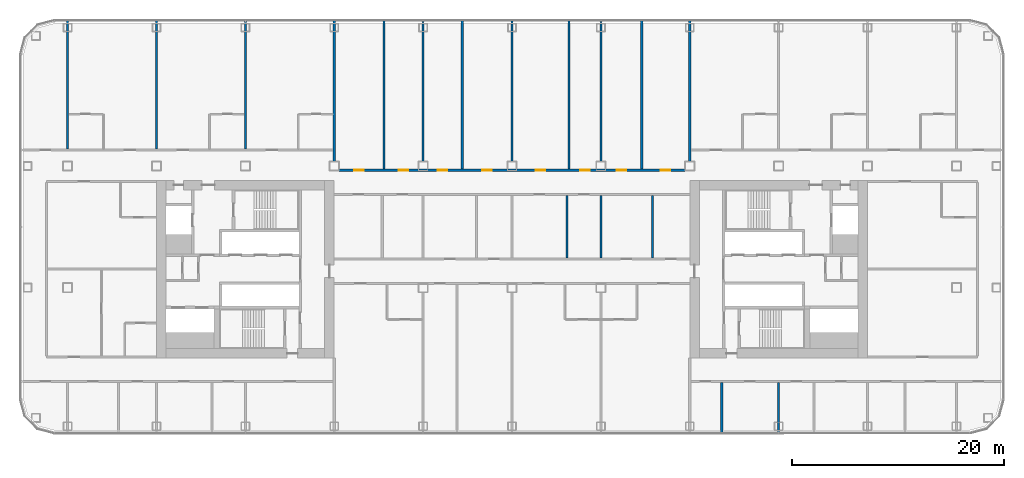
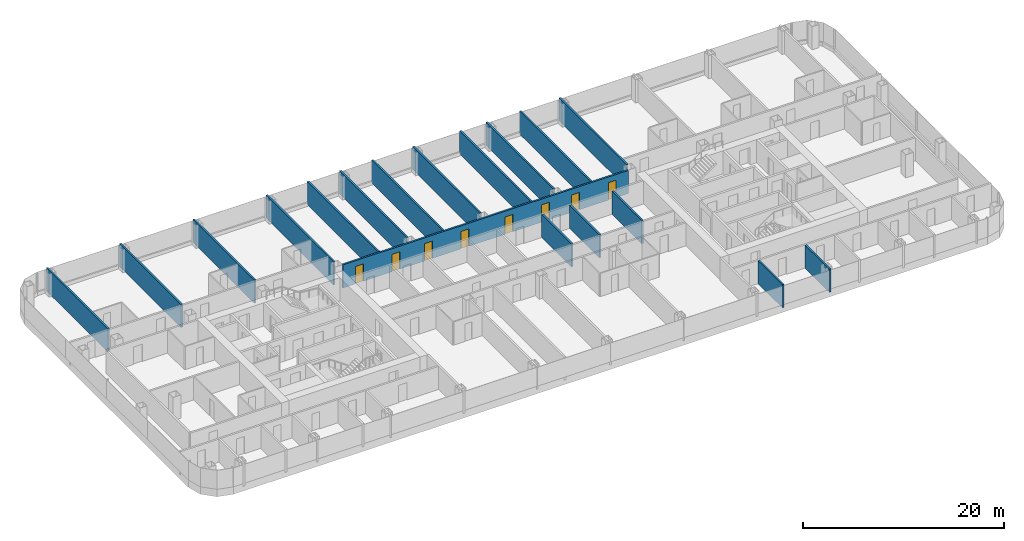
# One storey, part 18 of 29: 18 walls, 8 doors, 8 openings.
"""IFC4 building model written with IfcOpenShell, lengths in metres."""

from ifc_helpers import new_model, si_unit, direction, frame, frame_2d, origin, place, context, subcontext, project, spatial, rectangle, extrude, material, layer, layer_set, type_object, element, fill, save


model = new_model("IFC4")

# Units and contexts
model_context = context("Model", 3, precision=1e-05, world=origin(), true_north=direction((0.0, 1.0)))
body_context = subcontext(model_context, "Body", "Model", "MODEL_VIEW")
ifc_project = project(units=[si_unit("LENGTHUNIT", "METRE"), si_unit("AREAUNIT", "SQUARE_METRE"), si_unit("VOLUMEUNIT", "CUBIC_METRE"), si_unit("PLANEANGLEUNIT", "RADIAN"), si_unit("MASSUNIT", "GRAM", prefix="KILO")], contexts=[model_context])

# Site, building, storey
site_placement = place(None, origin())
site = spatial("IfcSite", under=ifc_project, at=site_placement, CompositionType="ELEMENT")
building_placement = place(site_placement, origin())
building = spatial("IfcBuilding", under=site, at=building_placement, Name="Hakoniwa Tower and Hamabe Station Hall", CompositionType="ELEMENT")
storey_placement = place(building_placement, frame((0.0, 0.0, 91.39990234375)))
storey = spatial("IfcBuildingStorey", under=building, at=storey_placement, Name="L25", CompositionType="ELEMENT", Elevation=91.39990234375)

# Wall, openings, doors
ifc_material_1 = material(Name="Fire-rated gypsum board partition", Category="gypsum")
ifc_layer_1 = layer(ifc_material_1, 0.199951171875)
ifc_layer_set_1 = layer_set([ifc_layer_1], Name="Corridor Wall 200")
wall_type_1 = type_object("IfcWallType", Name="Corridor Wall 200", PredefinedType="PARTITIONING", material=ifc_layer_set_1)
wall_1_placement = place(storey_placement, frame((-16.360107421875, 9.35009765625, 0.0), z_axis=(0.0, 0.0, 1.0), x_axis=(1.0, 0.0, 0.0)))
wall_1 = element("IfcWall", 1, at=wall_1_placement, inside=storey, type_object=wall_type_1, Name="GW-L25-017", PredefinedType="PARTITIONING", context=body_context, shape_type="SweptSolid", body=[
    extrude(rectangle(XDim=32.72021484375, YDim=0.199951171875, at=frame_2d((16.360107421875, 0.0))), origin(), (0.0, 0.0, 1.0), 2.800048828125),
])
opening_1_placement = place(wall_1_placement, frame((1.4599609375, 0.0, 0.0)))
opening_1 = element("IfcOpeningElement", 2, at=opening_1_placement, cuts=wall_1, Name="Opening GD-G2A1-37", PredefinedType="OPENING", context=body_context, shape_type="SweptSolid", body=[
    extrude(rectangle(XDim=0.89990234375, YDim=2.10009765625, at=frame_2d((0.449951171875, 1.050048828125))), frame((0.0, 0.10986328125, 0.0), z_axis=(0.0, -1.0, 0.0), x_axis=(1.0, 0.0, 0.0)), (0.0, 0.0, 1.0), 0.219970703125),
])
opening_2_placement = place(wall_1_placement, frame((5.659912109375, 0.0, 0.0)))
opening_2 = element("IfcOpeningElement", 3, at=opening_2_placement, cuts=wall_1, Name="Opening GD-G2A1-38", PredefinedType="OPENING", context=body_context, shape_type="SweptSolid", body=[
    extrude(rectangle(XDim=0.89990234375, YDim=2.10009765625, at=frame_2d((0.449951171875, 1.050048828125))), frame((0.0, 0.10986328125, 0.0), z_axis=(0.0, -1.0, 0.0), x_axis=(1.0, 0.0, 0.0)), (0.0, 0.0, 1.0), 0.219970703125),
])
opening_3_placement = place(wall_1_placement, frame((9.360107421875, 0.0, 0.0)))
opening_3 = element("IfcOpeningElement", 4, at=opening_3_placement, cuts=wall_1, Name="Opening GD-G2A1-39", PredefinedType="OPENING", context=body_context, shape_type="SweptSolid", body=[
    extrude(rectangle(XDim=0.89990234375, YDim=2.10009765625, at=frame_2d((0.449951171875, 1.050048828125))), frame((0.0, 0.10986328125, 0.0), z_axis=(0.0, -1.0, 0.0), x_axis=(1.0, 0.0, 0.0)), (0.0, 0.0, 1.0), 0.219970703125),
])
opening_4_placement = place(wall_1_placement, frame((13.56005859375, 0.0, 0.0)))
opening_4 = element("IfcOpeningElement", 5, at=opening_4_placement, cuts=wall_1, Name="Opening GD-G2A1-40", PredefinedType="OPENING", context=body_context, shape_type="SweptSolid", body=[
    extrude(rectangle(XDim=0.89990234375, YDim=2.10009765625, at=frame_2d((0.449951171875, 1.050048828125))), frame((0.0, 0.10986328125, 0.0), z_axis=(0.0, -1.0, 0.0), x_axis=(1.0, 0.0, 0.0)), (0.0, 0.0, 1.0), 0.219970703125),
])
opening_5_placement = place(wall_1_placement, frame((18.60009765625, 0.0, 0.0)))
opening_5 = element("IfcOpeningElement", 6, at=opening_5_placement, cuts=wall_1, Name="Opening GD-G2A1-41", PredefinedType="OPENING", context=body_context, shape_type="SweptSolid", body=[
    extrude(rectangle(XDim=0.89990234375, YDim=2.10009765625, at=frame_2d((0.449951171875, 1.050048828125))), frame((0.0, 0.10986328125, 0.0), z_axis=(0.0, -1.0, 0.0), x_axis=(1.0, 0.0, 0.0)), (0.0, 0.0, 1.0), 0.219970703125),
])
opening_6_placement = place(wall_1_placement, frame((22.800048828125, 0.0, 0.0)))
opening_6 = element("IfcOpeningElement", 7, at=opening_6_placement, cuts=wall_1, Name="Opening GD-G2A1-42", PredefinedType="OPENING", context=body_context, shape_type="SweptSolid", body=[
    extrude(rectangle(XDim=0.89990234375, YDim=2.10009765625, at=frame_2d((0.449951171875, 1.050048828125))), frame((0.0, 0.10986328125, 0.0), z_axis=(0.0, -1.0, 0.0), x_axis=(1.0, 0.0, 0.0)), (0.0, 0.0, 1.0), 0.219970703125),
])
opening_7_placement = place(wall_1_placement, frame((26.239990234375, 0.0, 0.0)))
opening_7 = element("IfcOpeningElement", 8, at=opening_7_placement, cuts=wall_1, Name="Opening GD-G2A1-43", PredefinedType="OPENING", context=body_context, shape_type="SweptSolid", body=[
    extrude(rectangle(XDim=0.89990234375, YDim=2.10009765625, at=frame_2d((0.449951171875, 1.050048828125))), frame((0.0, 0.10986328125, 0.0), z_axis=(0.0, -1.0, 0.0), x_axis=(1.0, 0.0, 0.0)), (0.0, 0.0, 1.0), 0.219970703125),
])
opening_8_placement = place(wall_1_placement, frame((30.43994140625, 0.0, 0.0)))
opening_8 = element("IfcOpeningElement", 9, at=opening_8_placement, cuts=wall_1, Name="Opening GD-G2A1-44", PredefinedType="OPENING", context=body_context, shape_type="SweptSolid", body=[
    extrude(rectangle(XDim=0.89990234375, YDim=2.10009765625, at=frame_2d((0.449951171875, 1.050048828125))), frame((0.0, 0.10986328125, 0.0), z_axis=(0.0, -1.0, 0.0), x_axis=(1.0, 0.0, 0.0)), (0.0, 0.0, 1.0), 0.219970703125),
])
ifc_material_2 = material(Name="Timber door leaf", Category="wood")
door_type = type_object("IfcDoorType", Name="Service Door 900", OperationType="SINGLE_SWING_LEFT", PredefinedType="DOOR", material=ifc_material_2)
door_1_placement = place(opening_1_placement, origin())
door_1 = element("IfcDoor", 10, at=door_1_placement, inside=storey, type_object=door_type, Name="Door GD-G2A1-37", OperationType="SINGLE_SWING_RIGHT", OverallHeight=2.10009765625, OverallWidth=0.89990234375, PredefinedType="DOOR", context=body_context, shape_type="SweptSolid", body=[
    extrude(rectangle(XDim=0.89990234375, YDim=2.10009765625, at=frame_2d((0.449951171875, 1.050048828125))), frame((0.0, 0.02490234375, 0.0), z_axis=(0.0, -1.0, 0.0), x_axis=(1.0, 0.0, 0.0)), (0.0, 0.0, 1.0), 0.050048828125),
])
fill(opening_1, door_1)
door_2_placement = place(opening_2_placement, origin())
door_2 = element("IfcDoor", 11, at=door_2_placement, inside=storey, type_object=door_type, Name="Door GD-G2A1-38", OperationType="SINGLE_SWING_RIGHT", OverallHeight=2.10009765625, OverallWidth=0.89990234375, PredefinedType="DOOR", context=body_context, shape_type="SweptSolid", body=[
    extrude(rectangle(XDim=0.89990234375, YDim=2.10009765625, at=frame_2d((0.449951171875, 1.050048828125))), frame((0.0, 0.02490234375, 0.0), z_axis=(0.0, -1.0, 0.0), x_axis=(1.0, 0.0, 0.0)), (0.0, 0.0, 1.0), 0.050048828125),
])
fill(opening_2, door_2)
door_3_placement = place(opening_3_placement, origin())
door_3 = element("IfcDoor", 12, at=door_3_placement, inside=storey, type_object=door_type, Name="Door GD-G2A1-39", OperationType="SINGLE_SWING_LEFT", OverallHeight=2.10009765625, OverallWidth=0.89990234375, PredefinedType="DOOR", context=body_context, shape_type="SweptSolid", body=[
    extrude(rectangle(XDim=0.89990234375, YDim=2.10009765625, at=frame_2d((0.449951171875, 1.050048828125))), frame((0.0, 0.02490234375, 0.0), z_axis=(0.0, -1.0, 0.0), x_axis=(1.0, 0.0, 0.0)), (0.0, 0.0, 1.0), 0.050048828125),
])
fill(opening_3, door_3)
door_4_placement = place(opening_4_placement, origin())
door_4 = element("IfcDoor", 13, at=door_4_placement, inside=storey, type_object=door_type, Name="Door GD-G2A1-40", OperationType="SINGLE_SWING_RIGHT", OverallHeight=2.10009765625, OverallWidth=0.89990234375, PredefinedType="DOOR", context=body_context, shape_type="SweptSolid", body=[
    extrude(rectangle(XDim=0.89990234375, YDim=2.10009765625, at=frame_2d((0.449951171875, 1.050048828125))), frame((0.0, 0.02490234375, 0.0), z_axis=(0.0, -1.0, 0.0), x_axis=(1.0, 0.0, 0.0)), (0.0, 0.0, 1.0), 0.050048828125),
])
fill(opening_4, door_4)
door_5_placement = place(opening_5_placement, origin())
door_5 = element("IfcDoor", 14, at=door_5_placement, inside=storey, type_object=door_type, Name="Door GD-G2A1-41", OperationType="SINGLE_SWING_LEFT", OverallHeight=2.10009765625, OverallWidth=0.89990234375, PredefinedType="DOOR", context=body_context, shape_type="SweptSolid", body=[
    extrude(rectangle(XDim=0.89990234375, YDim=2.10009765625, at=frame_2d((0.449951171875, 1.050048828125))), frame((0.0, 0.02490234375, 0.0), z_axis=(0.0, -1.0, 0.0), x_axis=(1.0, 0.0, 0.0)), (0.0, 0.0, 1.0), 0.050048828125),
])
fill(opening_5, door_5)
door_6_placement = place(opening_6_placement, origin())
door_6 = element("IfcDoor", 15, at=door_6_placement, inside=storey, type_object=door_type, Name="Door GD-G2A1-42", OperationType="SINGLE_SWING_RIGHT", OverallHeight=2.10009765625, OverallWidth=0.89990234375, PredefinedType="DOOR", context=body_context, shape_type="SweptSolid", body=[
    extrude(rectangle(XDim=0.89990234375, YDim=2.10009765625, at=frame_2d((0.449951171875, 1.050048828125))), frame((0.0, 0.02490234375, 0.0), z_axis=(0.0, -1.0, 0.0), x_axis=(1.0, 0.0, 0.0)), (0.0, 0.0, 1.0), 0.050048828125),
])
fill(opening_6, door_6)
door_7_placement = place(opening_7_placement, origin())
door_7 = element("IfcDoor", 16, at=door_7_placement, inside=storey, type_object=door_type, Name="Door GD-G2A1-43", OperationType="SINGLE_SWING_LEFT", OverallHeight=2.10009765625, OverallWidth=0.89990234375, PredefinedType="DOOR", context=body_context, shape_type="SweptSolid", body=[
    extrude(rectangle(XDim=0.89990234375, YDim=2.10009765625, at=frame_2d((0.449951171875, 1.050048828125))), frame((0.0, 0.02490234375, 0.0), z_axis=(0.0, -1.0, 0.0), x_axis=(1.0, 0.0, 0.0)), (0.0, 0.0, 1.0), 0.050048828125),
])
fill(opening_7, door_7)
door_8_placement = place(opening_8_placement, origin())
door_8 = element("IfcDoor", 17, at=door_8_placement, inside=storey, type_object=door_type, Name="Door GD-G2A1-44", OperationType="SINGLE_SWING_RIGHT", OverallHeight=2.10009765625, OverallWidth=0.89990234375, PredefinedType="DOOR", context=body_context, shape_type="SweptSolid", body=[
    extrude(rectangle(XDim=0.89990234375, YDim=2.10009765625, at=frame_2d((0.449951171875, 1.050048828125))), frame((0.0, 0.02490234375, 0.0), z_axis=(0.0, -1.0, 0.0), x_axis=(1.0, 0.0, 0.0)), (0.0, 0.0, 1.0), 0.050048828125),
])
fill(opening_8, door_8)

# Walls
ifc_material_3 = material(Name="Fire-rated gypsum board partition", Category="gypsum")
ifc_layer_2 = layer(ifc_material_3, 0.199951171875)
ifc_layer_set_2 = layer_set([ifc_layer_2], Name="Party Wall 200")
wall_type_2 = type_object("IfcWallType", Name="Party Wall 200", PredefinedType="PARTITIONING", material=ifc_layer_set_2)
for number, where, z_axis, x_axis, name in (
    (18, (-42.0, 11.35009765625, 0.0), (0.0, 0.0, 1.0), (0.0, 1.0, 0.0), "GW-L25-028"),
    (19, (-33.60009765625, 11.35009765625, 0.0), (0.0, 0.0, 1.0), (0.0, 1.0, 0.0), "GW-L25-035"),
    (20, (-25.199951171875, 11.35009765625, 0.0), (0.0, 0.0, 1.0), (0.0, 1.0, 0.0), "GW-L25-039"),
):
    element("IfcWall", number, at=place(storey_placement, frame(where, z_axis=z_axis, x_axis=x_axis)), inside=storey, type_object=wall_type_2, Name=name, PredefinedType="PARTITIONING", context=body_context, shape_type="SweptSolid", body=[
        extrude(rectangle(XDim=12.199951171875, YDim=0.199951171875, at=frame_2d((6.10009765625, 0.0))), origin(), (0.0, 0.0, 1.0), 2.800048828125),
    ])
wall_2_placement = place(storey_placement, frame((-16.800048828125, 10.18994140625, 0.0), z_axis=(0.0, 0.0, 1.0), x_axis=(0.0, 1.0, 0.0)))
element("IfcWall", 21, at=wall_2_placement, inside=storey, type_object=wall_type_2, Name="GW-L25-042", PredefinedType="PARTITIONING", context=body_context, shape_type="SweptSolid", body=[
    extrude(rectangle(XDim=13.360107421875, YDim=0.199951171875, at=frame_2d((6.68017578125, 0.0))), origin(), (0.0, 0.0, 1.0), 2.800048828125),
])
wall_3_placement = place(storey_placement, frame((-12.10009765625, 9.449951171875, 0.0), z_axis=(0.0, 0.0, 1.0), x_axis=(0.0, 1.0, 0.0)))
element("IfcWall", 22, at=wall_3_placement, inside=storey, type_object=wall_type_2, Name="GW-L25-044", PredefinedType="PARTITIONING", context=body_context, shape_type="SweptSolid", body=[
    extrude(rectangle(XDim=14.10009765625, YDim=0.199951171875, at=frame_2d((7.050048828125, 0.0))), origin(), (0.0, 0.0, 1.0), 2.800048828125),
])
wall_4_placement = place(storey_placement, frame((-8.39990234375, 10.18994140625, 0.0), z_axis=(0.0, 0.0, 1.0), x_axis=(0.0, 1.0, 0.0)))
element("IfcWall", 23, at=wall_4_placement, inside=storey, type_object=wall_type_2, Name="GW-L25-048", PredefinedType="PARTITIONING", context=body_context, shape_type="SweptSolid", body=[
    extrude(rectangle(XDim=13.360107421875, YDim=0.199951171875, at=frame_2d((6.68017578125, 0.0))), origin(), (0.0, 0.0, 1.0), 2.800048828125),
])
wall_5_placement = place(storey_placement, frame((-4.699951171875, 9.449951171875, 0.0), z_axis=(0.0, 0.0, 1.0), x_axis=(0.0, 1.0, 0.0)))
element("IfcWall", 24, at=wall_5_placement, inside=storey, type_object=wall_type_2, Name="GW-L25-050", PredefinedType="PARTITIONING", context=body_context, shape_type="SweptSolid", body=[
    extrude(rectangle(XDim=14.10009765625, YDim=0.199951171875, at=frame_2d((7.050048828125, 0.0))), origin(), (0.0, 0.0, 1.0), 2.800048828125),
])
wall_6_placement = place(storey_placement, frame((0.0, 10.18994140625, 0.0), z_axis=(0.0, 0.0, 1.0), x_axis=(0.0, 1.0, 0.0)))
element("IfcWall", 25, at=wall_6_placement, inside=storey, type_object=wall_type_2, Name="GW-L25-054", PredefinedType="PARTITIONING", context=body_context, shape_type="SweptSolid", body=[
    extrude(rectangle(XDim=13.360107421875, YDim=0.199951171875, at=frame_2d((6.68017578125, 0.0))), origin(), (0.0, 0.0, 1.0), 2.800048828125),
])
wall_7_placement = place(storey_placement, frame((5.2099609375, 1.050048828125, 0.0), z_axis=(0.0, 0.0, 1.0), x_axis=(0.0, 1.0, 0.0)))
element("IfcWall", 26, at=wall_7_placement, inside=storey, type_object=wall_type_2, Name="GW-L25-056", PredefinedType="PARTITIONING", context=body_context, shape_type="SweptSolid", body=[
    extrude(rectangle(XDim=5.89990234375, YDim=0.199951171875, at=frame_2d((2.949951171875, 0.0))), origin(), (0.0, 0.0, 1.0), 2.800048828125),
])
wall_8_placement = place(storey_placement, frame((5.3798828125, 9.449951171875, 0.0), z_axis=(0.0, 0.0, 1.0), x_axis=(0.0, 1.0, 0.0)))
element("IfcWall", 27, at=wall_8_placement, inside=storey, type_object=wall_type_2, Name="GW-L25-057", PredefinedType="PARTITIONING", context=body_context, shape_type="SweptSolid", body=[
    extrude(rectangle(XDim=14.10009765625, YDim=0.199951171875, at=frame_2d((7.050048828125, 0.0))), origin(), (0.0, 0.0, 1.0), 2.800048828125),
])
wall_9_placement = place(storey_placement, frame((8.39990234375, 1.050048828125, 0.0), z_axis=(0.0, 0.0, 1.0), x_axis=(0.0, 1.0, 0.0)))
element("IfcWall", 28, at=wall_9_placement, inside=storey, type_object=wall_type_2, Name="GW-L25-059", PredefinedType="PARTITIONING", context=body_context, shape_type="SweptSolid", body=[
    extrude(rectangle(XDim=5.89990234375, YDim=0.199951171875, at=frame_2d((2.949951171875, 0.0))), origin(), (0.0, 0.0, 1.0), 2.800048828125),
])
wall_10_placement = place(storey_placement, frame((8.39990234375, 10.18994140625, 0.0), z_axis=(0.0, 0.0, 1.0), x_axis=(0.0, 1.0, 0.0)))
element("IfcWall", 29, at=wall_10_placement, inside=storey, type_object=wall_type_2, Name="GW-L25-060", PredefinedType="PARTITIONING", context=body_context, shape_type="SweptSolid", body=[
    extrude(rectangle(XDim=13.360107421875, YDim=0.199951171875, at=frame_2d((6.68017578125, 0.0))), origin(), (0.0, 0.0, 1.0), 2.800048828125),
])
wall_11_placement = place(storey_placement, frame((12.260009765625, 9.449951171875, 0.0), z_axis=(0.0, 0.0, 1.0), x_axis=(0.0, 1.0, 0.0)))
element("IfcWall", 30, at=wall_11_placement, inside=storey, type_object=wall_type_2, Name="GW-L25-062", PredefinedType="PARTITIONING", context=body_context, shape_type="SweptSolid", body=[
    extrude(rectangle(XDim=14.10009765625, YDim=0.199951171875, at=frame_2d((7.050048828125, 0.0))), origin(), (0.0, 0.0, 1.0), 2.800048828125),
])
wall_12_placement = place(storey_placement, frame((13.27001953125, 1.050048828125, 0.0), z_axis=(0.0, 0.0, 1.0), x_axis=(0.0, 1.0, 0.0)))
element("IfcWall", 31, at=wall_12_placement, inside=storey, type_object=wall_type_2, Name="GW-L25-063", PredefinedType="PARTITIONING", context=body_context, shape_type="SweptSolid", body=[
    extrude(rectangle(XDim=5.89990234375, YDim=0.199951171875, at=frame_2d((2.949951171875, 0.0))), origin(), (0.0, 0.0, 1.0), 2.800048828125),
])
wall_13_placement = place(storey_placement, frame((16.800048828125, 10.18994140625, 0.0), z_axis=(0.0, 0.0, 1.0), x_axis=(0.0, 1.0, 0.0)))
element("IfcWall", 32, at=wall_13_placement, inside=storey, type_object=wall_type_2, Name="GW-L25-065", PredefinedType="PARTITIONING", context=body_context, shape_type="SweptSolid", body=[
    extrude(rectangle(XDim=13.360107421875, YDim=0.199951171875, at=frame_2d((6.68017578125, 0.0))), origin(), (0.0, 0.0, 1.0), 2.800048828125),
])
for number, where, z_axis, x_axis, name in (
    (33, (19.820068359375, -15.550048828125, 0.0), (0.0, 0.0, 1.0), (0.0, 1.0, 0.0), "GW-L25-066"),
    (34, (25.199951171875, -15.550048828125, 0.0), (0.0, 0.0, 1.0), (0.0, 1.0, 0.0), "GW-L25-068"),
):
    element("IfcWall", number, at=place(storey_placement, frame(where, z_axis=z_axis, x_axis=x_axis)), inside=storey, type_object=wall_type_2, Name=name, PredefinedType="PARTITIONING", context=body_context, shape_type="SweptSolid", body=[
        extrude(rectangle(XDim=4.85009765625, YDim=0.199951171875, at=frame_2d((2.425048828125, 0.0))), origin(), (0.0, 0.0, 1.0), 2.800048828125),
    ])

save(model, "model.ifc")
